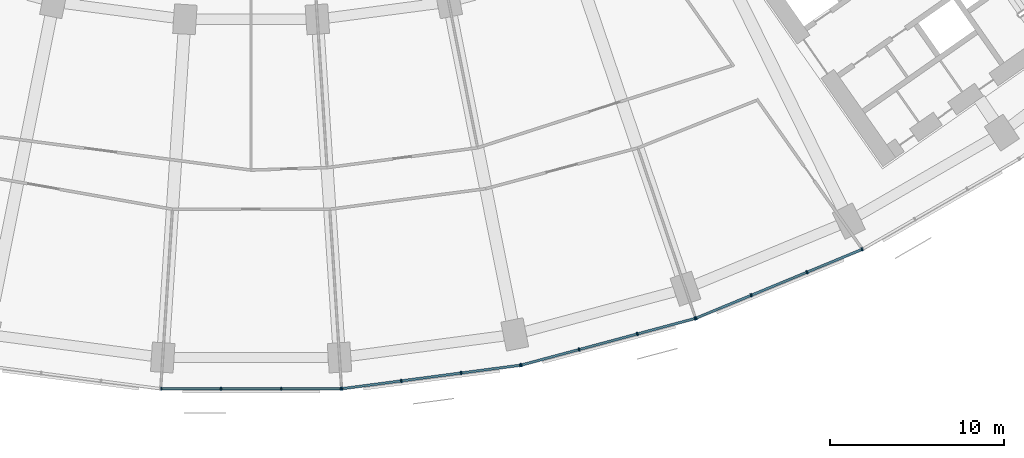
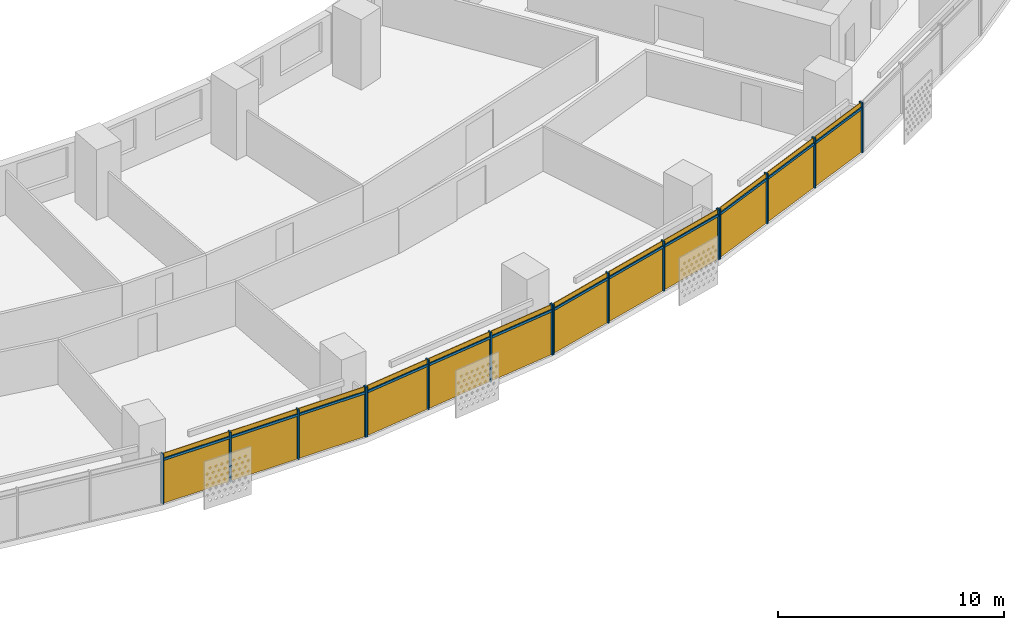
# One storey, part 21 of 31: 28 members, 4 curtain walls.
"""IFC4 building model written with IfcOpenShell, lengths in metres."""

from ifc_helpers import new_model, si_unit, direction, frame, origin, origin_2d, place, context, subcontext, project, spatial, rectangle, extrude, material, material_profile, profile_set, type_object, element, aggregate, save


model = new_model("IFC4")

# Units and contexts
model_context = context("Model", 3, precision=1e-05, world=origin(), true_north=direction((0.0, 1.0)))
body_context = subcontext(model_context, "Body", "Model", "MODEL_VIEW")
ifc_project = project(units=[si_unit("LENGTHUNIT", "METRE"), si_unit("AREAUNIT", "SQUARE_METRE"), si_unit("VOLUMEUNIT", "CUBIC_METRE"), si_unit("PLANEANGLEUNIT", "RADIAN"), si_unit("MASSUNIT", "GRAM", prefix="KILO")], contexts=[model_context])

# Member
ifc_material = material(Name="Aluminium 6063-T6 anodised", Category="aluminium")
ifc_material_profile_1 = material_profile(ifc_material, rectangle(XDim=0.199951171875, YDim=0.070068359375, at=origin_2d()))
ifc_profile_set_1 = profile_set([ifc_material_profile_1], Name="Aluminium 6063-T6 anodised")
member_type_1 = type_object("IfcMemberType", Name="Mullion 70 x 200 aluminium", PredefinedType="MULLION", material=ifc_profile_set_1)
site_placement = place(None, origin())
building_placement = place(site_placement, origin())
storey_placement = place(building_placement, frame((0.0, 0.0, 82.300048828125)))
member_1_placement = place(storey_placement, frame((-5.17431640625, -79.37939453125, 0.0), z_axis=(0.0, 0.0, 1.0), x_axis=(0.0, 1.0, 0.0)))
member_1 = element("IfcMember", 1, at=member_1_placement, type_object=member_type_1, Name="e-cw1-L17-out08/M00", PredefinedType="MULLION", context=body_context, shape_type="SweptSolid", body=[
    extrude(rectangle(XDim=0.199951171875, YDim=0.070068359375, at=origin_2d()), origin(), (0.0, 0.0, 1.0), 2.699951171875),
])

member_2_placement = place(storey_placement, frame((-1.736572265625, -79.37939453125, 0.0), z_axis=(0.0, 0.0, 1.0), x_axis=(0.0, 1.0, 0.0)))
member_2 = element("IfcMember", 2, at=member_2_placement, type_object=member_type_1, Name="e-cw1-L17-out08/M01", PredefinedType="MULLION", context=body_context, shape_type="SweptSolid", body=[
    extrude(rectangle(XDim=0.199951171875, YDim=0.070068359375, at=origin_2d()), origin(), (0.0, 0.0, 1.0), 2.699951171875),
])

member_3_placement = place(storey_placement, frame((1.736572265625, -79.37939453125, 0.0), z_axis=(0.0, 0.0, 1.0), x_axis=(0.0, 1.0, 0.0)))
member_3 = element("IfcMember", 3, at=member_3_placement, type_object=member_type_1, Name="e-cw1-L17-out08/M02", PredefinedType="MULLION", context=body_context, shape_type="SweptSolid", body=[
    extrude(rectangle(XDim=0.199951171875, YDim=0.070068359375, at=origin_2d()), origin(), (0.0, 0.0, 1.0), 2.699951171875),
])

member_4_placement = place(storey_placement, frame((5.17431640625, -79.37939453125, 0.0), z_axis=(0.0, 0.0, 1.0), x_axis=(0.0, 1.0, 0.0)))
member_4 = element("IfcMember", 4, at=member_4_placement, type_object=member_type_1, Name="e-cw1-L17-out08/M03", PredefinedType="MULLION", context=body_context, shape_type="SweptSolid", body=[
    extrude(rectangle(XDim=0.199951171875, YDim=0.070068359375, at=origin_2d()), origin(), (0.0, 0.0, 1.0), 2.699951171875),
])

member_5_placement = place(storey_placement, frame((5.23095703125, -79.375732421875, 0.0), z_axis=(0.0, 0.0, 1.0), x_axis=(-0.13052619222, 0.991444861374, 0.0)))
member_5 = element("IfcMember", 5, at=member_5_placement, type_object=member_type_1, Name="e-cw1-L17-out09/M00", PredefinedType="MULLION", context=body_context, shape_type="SweptSolid", body=[
    extrude(rectangle(XDim=0.199951171875, YDim=0.070068359375, at=origin_2d()), origin(), (0.0, 0.0, 1.0), 2.699951171875),
])

member_6_placement = place(storey_placement, frame((8.639404296875, -78.927001953125, 0.0), z_axis=(0.0, 0.0, 1.0), x_axis=(-0.13052619222, 0.991444861374, 0.0)))
member_6 = element("IfcMember", 6, at=member_6_placement, type_object=member_type_1, Name="e-cw1-L17-out09/M01", PredefinedType="MULLION", context=body_context, shape_type="SweptSolid", body=[
    extrude(rectangle(XDim=0.199951171875, YDim=0.070068359375, at=origin_2d()), origin(), (0.0, 0.0, 1.0), 2.699951171875),
])

member_7_placement = place(storey_placement, frame((12.082763671875, -78.4736328125, 0.0), z_axis=(0.0, 0.0, 1.0), x_axis=(-0.13052619222, 0.991444861374, 0.0)))
member_7 = element("IfcMember", 7, at=member_7_placement, type_object=member_type_1, Name="e-cw1-L17-out09/M02", PredefinedType="MULLION", context=body_context, shape_type="SweptSolid", body=[
    extrude(rectangle(XDim=0.199951171875, YDim=0.070068359375, at=origin_2d()), origin(), (0.0, 0.0, 1.0), 2.699951171875),
])

member_8_placement = place(storey_placement, frame((15.4912109375, -78.02490234375, 0.0), z_axis=(0.0, 0.0, 1.0), x_axis=(-0.13052619222, 0.991444861374, 0.0)))
member_8 = element("IfcMember", 8, at=member_8_placement, type_object=member_type_1, Name="e-cw1-L17-out09/M03", PredefinedType="MULLION", context=body_context, shape_type="SweptSolid", body=[
    extrude(rectangle(XDim=0.199951171875, YDim=0.070068359375, at=origin_2d()), origin(), (0.0, 0.0, 1.0), 2.699951171875),
])

member_9_placement = place(storey_placement, frame((15.546875, -78.013916015625, 0.0), z_axis=(0.0, 0.0, 1.0), x_axis=(-0.258819045103, 0.965925826289, 0.0)))
member_9 = element("IfcMember", 9, at=member_9_placement, type_object=member_type_1, Name="e-cw1-L17-out10/M00", PredefinedType="MULLION", context=body_context, shape_type="SweptSolid", body=[
    extrude(rectangle(XDim=0.199951171875, YDim=0.070068359375, at=origin_2d()), origin(), (0.0, 0.0, 1.0), 2.699951171875),
])

member_10_placement = place(storey_placement, frame((18.86767578125, -77.1240234375, 0.0), z_axis=(0.0, 0.0, 1.0), x_axis=(-0.258819045103, 0.965925826289, 0.0)))
member_10 = element("IfcMember", 10, at=member_10_placement, type_object=member_type_1, Name="e-cw1-L17-out10/M01", PredefinedType="MULLION", context=body_context, shape_type="SweptSolid", body=[
    extrude(rectangle(XDim=0.199951171875, YDim=0.070068359375, at=origin_2d()), origin(), (0.0, 0.0, 1.0), 2.699951171875),
])

member_11_placement = place(storey_placement, frame((22.22216796875, -76.225341796875, 0.0), z_axis=(0.0, 0.0, 1.0), x_axis=(-0.258819045103, 0.965925826289, 0.0)))
member_11 = element("IfcMember", 11, at=member_11_placement, type_object=member_type_1, Name="e-cw1-L17-out10/M02", PredefinedType="MULLION", context=body_context, shape_type="SweptSolid", body=[
    extrude(rectangle(XDim=0.199951171875, YDim=0.070068359375, at=origin_2d()), origin(), (0.0, 0.0, 1.0), 2.699951171875),
])

member_12_placement = place(storey_placement, frame((25.54296875, -75.33544921875, 0.0), z_axis=(0.0, 0.0, 1.0), x_axis=(-0.258819045103, 0.965925826289, 0.0)))
member_12 = element("IfcMember", 12, at=member_12_placement, type_object=member_type_1, Name="e-cw1-L17-out10/M03", PredefinedType="MULLION", context=body_context, shape_type="SweptSolid", body=[
    extrude(rectangle(XDim=0.199951171875, YDim=0.070068359375, at=origin_2d()), origin(), (0.0, 0.0, 1.0), 2.699951171875),
])

member_13_placement = place(storey_placement, frame((25.5966796875, -75.317138671875, 0.0), z_axis=(0.0, 0.0, 1.0), x_axis=(-0.382683432365, 0.923879532511, 0.0)))
member_13 = element("IfcMember", 13, at=member_13_placement, type_object=member_type_1, Name="e-cw1-L17-out11/M00", PredefinedType="MULLION", context=body_context, shape_type="SweptSolid", body=[
    extrude(rectangle(XDim=0.199951171875, YDim=0.070068359375, at=origin_2d()), origin(), (0.0, 0.0, 1.0), 2.699951171875),
])

member_14_placement = place(storey_placement, frame((28.77294921875, -74.00146484375, 0.0), z_axis=(0.0, 0.0, 1.0), x_axis=(-0.382683432365, 0.923879532511, 0.0)))
member_14 = element("IfcMember", 14, at=member_14_placement, type_object=member_type_1, Name="e-cw1-L17-out11/M01", PredefinedType="MULLION", context=body_context, shape_type="SweptSolid", body=[
    extrude(rectangle(XDim=0.199951171875, YDim=0.070068359375, at=origin_2d()), origin(), (0.0, 0.0, 1.0), 2.699951171875),
])

member_15_placement = place(storey_placement, frame((31.9814453125, -72.672607421875, 0.0), z_axis=(0.0, 0.0, 1.0), x_axis=(-0.382683432365, 0.923879532511, 0.0)))
member_15 = element("IfcMember", 15, at=member_15_placement, type_object=member_type_1, Name="e-cw1-L17-out11/M02", PredefinedType="MULLION", context=body_context, shape_type="SweptSolid", body=[
    extrude(rectangle(XDim=0.199951171875, YDim=0.070068359375, at=origin_2d()), origin(), (0.0, 0.0, 1.0), 2.699951171875),
])

member_16_placement = place(storey_placement, frame((35.15771484375, -71.35693359375, 0.0), z_axis=(0.0, 0.0, 1.0), x_axis=(-0.382683432365, 0.923879532511, 0.0)))
member_16 = element("IfcMember", 16, at=member_16_placement, type_object=member_type_1, Name="e-cw1-L17-out11/M03", PredefinedType="MULLION", context=body_context, shape_type="SweptSolid", body=[
    extrude(rectangle(XDim=0.199951171875, YDim=0.070068359375, at=origin_2d()), origin(), (0.0, 0.0, 1.0), 2.699951171875),
])

ifc_material_profile_2 = material_profile(ifc_material, rectangle(XDim=0.139892578125, YDim=0.1201171875, at=origin_2d()))
ifc_profile_set_2 = profile_set([ifc_material_profile_2], Name="Aluminium 6063-T6 anodised")
member_type_2 = type_object("IfcMemberType", Name="Transom 120 x 140 aluminium", PredefinedType="USERDEFINED", material=ifc_profile_set_2)
member_17_placement = place(storey_placement, frame((-5.139404296875, -79.37939453125, 2.39990234375), z_axis=(1.0, 0.0, 0.0), x_axis=(0.0, 1.0, 0.0)))
member_17 = element("IfcMember", 17, at=member_17_placement, type_object=member_type_2, Name="e-cw1-L17-out08/T00", ObjectType="TRANSOM", PredefinedType="USERDEFINED", context=body_context, shape_type="SweptSolid", body=[
    extrude(rectangle(XDim=0.139892578125, YDim=0.1201171875, at=origin_2d()), origin(), (0.0, 0.0, 1.0), 3.367919921875),
])

member_18_placement = place(storey_placement, frame((-1.701416015625, -79.37939453125, 2.39990234375), z_axis=(1.0, 0.0, 0.0), x_axis=(0.0, 1.0, 0.0)))
member_18 = element("IfcMember", 18, at=member_18_placement, type_object=member_type_2, Name="e-cw1-L17-out08/T01", ObjectType="TRANSOM", PredefinedType="USERDEFINED", context=body_context, shape_type="SweptSolid", body=[
    extrude(rectangle(XDim=0.139892578125, YDim=0.1201171875, at=origin_2d()), origin(), (0.0, 0.0, 1.0), 3.40283203125),
])

member_19_placement = place(storey_placement, frame((1.771484375, -79.37939453125, 2.39990234375), z_axis=(1.0, 0.0, 0.0), x_axis=(0.0, 1.0, 0.0)))
member_19 = element("IfcMember", 19, at=member_19_placement, type_object=member_type_2, Name="e-cw1-L17-out08/T02", ObjectType="TRANSOM", PredefinedType="USERDEFINED", context=body_context, shape_type="SweptSolid", body=[
    extrude(rectangle(XDim=0.139892578125, YDim=0.1201171875, at=origin_2d()), origin(), (0.0, 0.0, 1.0), 3.367919921875),
])

member_20_placement = place(storey_placement, frame((5.265625, -79.37109375, 2.39990234375), z_axis=(0.991450594138, 0.130482640159, 0.0), x_axis=(-0.130482640159, 0.991450594138, 0.0)))
member_20 = element("IfcMember", 20, at=member_20_placement, type_object=member_type_2, Name="e-cw1-L17-out09/T00", ObjectType="TRANSOM", PredefinedType="USERDEFINED", context=body_context, shape_type="SweptSolid", body=[
    extrude(rectangle(XDim=0.139892578125, YDim=0.1201171875, at=origin_2d()), origin(), (0.0, 0.0, 1.0), 3.367919921875),
])

member_21_placement = place(storey_placement, frame((8.67431640625, -78.92236328125, 2.39990234375), z_axis=(0.991447700941, 0.130504621753, 0.0), x_axis=(-0.130504621753, 0.991447700941, 0.0)))
member_21 = element("IfcMember", 21, at=member_21_placement, type_object=member_type_2, Name="e-cw1-L17-out09/T01", ObjectType="TRANSOM", PredefinedType="USERDEFINED", context=body_context, shape_type="SweptSolid", body=[
    extrude(rectangle(XDim=0.139892578125, YDim=0.1201171875, at=origin_2d()), origin(), (0.0, 0.0, 1.0), 3.40283203125),
])

member_22_placement = place(storey_placement, frame((12.117431640625, -78.46923828125, 2.39990234375), z_axis=(0.9914412138, 0.130553895303, 0.0), x_axis=(-0.130553895303, 0.9914412138, 0.0)))
member_22 = element("IfcMember", 22, at=member_22_placement, type_object=member_type_2, Name="e-cw1-L17-out09/T02", ObjectType="TRANSOM", PredefinedType="USERDEFINED", context=body_context, shape_type="SweptSolid", body=[
    extrude(rectangle(XDim=0.139892578125, YDim=0.1201171875, at=origin_2d()), origin(), (0.0, 0.0, 1.0), 3.367919921875),
])

member_23_placement = place(storey_placement, frame((15.58056640625, -78.0048828125, 2.39990234375), z_axis=(0.965915368772, 0.258858069935, 0.0), x_axis=(-0.258858069935, 0.965915368772, 0.0)))
member_23 = element("IfcMember", 23, at=member_23_placement, type_object=member_type_2, Name="e-cw1-L17-out10/T00", ObjectType="TRANSOM", PredefinedType="USERDEFINED", context=body_context, shape_type="SweptSolid", body=[
    extrude(rectangle(XDim=0.139892578125, YDim=0.1201171875, at=origin_2d()), origin(), (0.0, 0.0, 1.0), 3.367919921875),
])

member_24_placement = place(storey_placement, frame((18.9013671875, -77.114990234375, 2.39990234375), z_axis=(0.965937804901, 0.258774336176, 0.0), x_axis=(-0.258774336176, 0.965937804901, 0.0)))
member_24 = element("IfcMember", 24, at=member_24_placement, type_object=member_type_2, Name="e-cw1-L17-out10/T01", ObjectType="TRANSOM", PredefinedType="USERDEFINED", context=body_context, shape_type="SweptSolid", body=[
    extrude(rectangle(XDim=0.139892578125, YDim=0.1201171875, at=origin_2d()), origin(), (0.0, 0.0, 1.0), 3.403076171875),
])

member_25_placement = place(storey_placement, frame((22.256103515625, -76.21630859375, 2.39990234375), z_axis=(0.965915368772, 0.258858069935, 0.0), x_axis=(-0.258858069935, 0.965915368772, 0.0)))
member_25 = element("IfcMember", 25, at=member_25_placement, type_object=member_type_2, Name="e-cw1-L17-out10/T02", ObjectType="TRANSOM", PredefinedType="USERDEFINED", context=body_context, shape_type="SweptSolid", body=[
    extrude(rectangle(XDim=0.139892578125, YDim=0.1201171875, at=origin_2d()), origin(), (0.0, 0.0, 1.0), 3.367919921875),
])

member_26_placement = place(storey_placement, frame((25.629150390625, -75.3037109375, 2.39990234375), z_axis=(0.923872807855, 0.382699666719, 0.0), x_axis=(-0.382699666719, 0.923872807855, 0.0)))
member_26 = element("IfcMember", 26, at=member_26_placement, type_object=member_type_2, Name="e-cw1-L17-out11/T00", ObjectType="TRANSOM", PredefinedType="USERDEFINED", context=body_context, shape_type="SweptSolid", body=[
    extrude(rectangle(XDim=0.139892578125, YDim=0.1201171875, at=origin_2d()), origin(), (0.0, 0.0, 1.0), 3.36767578125),
])

member_27_placement = place(storey_placement, frame((28.80517578125, -73.98828125, 2.39990234375), z_axis=(0.92388567708, 0.382668597728, 0.0), x_axis=(-0.382668597728, 0.92388567708, 0.0)))
member_27 = element("IfcMember", 27, at=member_27_placement, type_object=member_type_2, Name="e-cw1-L17-out11/T01", ObjectType="TRANSOM", PredefinedType="USERDEFINED", context=body_context, shape_type="SweptSolid", body=[
    extrude(rectangle(XDim=0.139892578125, YDim=0.1201171875, at=origin_2d()), origin(), (0.0, 0.0, 1.0), 3.403076171875),
])

member_28_placement = place(storey_placement, frame((32.013916015625, -72.6591796875, 2.39990234375), z_axis=(0.923872807855, 0.382699666719, 0.0), x_axis=(-0.382699666719, 0.923872807855, 0.0)))
member_28 = element("IfcMember", 28, at=member_28_placement, type_object=member_type_2, Name="e-cw1-L17-out11/T02", ObjectType="TRANSOM", PredefinedType="USERDEFINED", context=body_context, shape_type="SweptSolid", body=[
    extrude(rectangle(XDim=0.139892578125, YDim=0.1201171875, at=origin_2d()), origin(), (0.0, 0.0, 1.0), 3.36767578125),
])

# Site, building, storey
site = spatial("IfcSite", under=ifc_project, at=site_placement, CompositionType="ELEMENT")
building = spatial("IfcBuilding", under=site, at=building_placement, Name="Qamariyya Broadcast Tower", CompositionType="ELEMENT")
storey = spatial("IfcBuildingStorey", under=building, at=storey_placement, Name="L17", CompositionType="ELEMENT", Elevation=82.300048828125)

# Curtain wall
curtain_wall_type = type_object("IfcCurtainWallType", Name="Unitised curtain wall, anodised aluminium", PredefinedType="NOTDEFINED", material=ifc_material)
curtain_wall_1_placement = place(storey_placement, origin())
curtain_wall_1 = element("IfcCurtainWall", 29, at=curtain_wall_1_placement, inside=storey, type_object=curtain_wall_type, Name="e-cw1-L17-out08", PredefinedType="NOTDEFINED", context=body_context, shape_type="SweptSolid", body=[
    extrude(rectangle(XDim=3.367919921875, YDim=0.031982421875, at=origin_2d()), frame((-3.45556640625, -79.37939453125, 0.0), x_axis=(1.0, 0.0, 0.0)), (0.0, 0.0, 1.0), 2.340087890625),
    extrude(rectangle(XDim=3.367919921875, YDim=0.031982421875, at=origin_2d()), frame((-3.45556640625, -79.37939453125, 2.4599609375), x_axis=(1.0, 0.0, 0.0)), (0.0, 0.0, 1.0), 0.239990234375),
    extrude(rectangle(XDim=3.403076171875, YDim=0.031982421875, at=origin_2d()), frame((0.0, -79.37939453125, 0.0), x_axis=(1.0, 0.0, 0.0)), (0.0, 0.0, 1.0), 2.340087890625),
    extrude(rectangle(XDim=3.403076171875, YDim=0.031982421875, at=origin_2d()), frame((0.0, -79.37939453125, 2.4599609375), x_axis=(1.0, 0.0, 0.0)), (0.0, 0.0, 1.0), 0.239990234375),
    extrude(rectangle(XDim=3.367919921875, YDim=0.031982421875, at=origin_2d()), frame((3.45556640625, -79.37939453125, 0.0), x_axis=(1.0, 0.0, 0.0)), (0.0, 0.0, 1.0), 2.340087890625),
    extrude(rectangle(XDim=3.367919921875, YDim=0.031982421875, at=origin_2d()), frame((3.45556640625, -79.37939453125, 2.4599609375), x_axis=(1.0, 0.0, 0.0)), (0.0, 0.0, 1.0), 0.239990234375),
])

aggregate(curtain_wall_1, [member_1, member_2, member_3, member_4, member_17, member_18, member_19])

curtain_wall_2_placement = place(storey_placement, origin())
curtain_wall_2 = element("IfcCurtainWall", 30, at=curtain_wall_2_placement, inside=storey, type_object=curtain_wall_type, Name="e-cw1-L17-out09", PredefinedType="NOTDEFINED", context=body_context, shape_type="SweptSolid", body=[
    extrude(rectangle(XDim=3.367919921875, YDim=0.031982421875, at=origin_2d()), frame((6.935302734375, -79.1513671875, 0.0), x_axis=(0.991445519925, 0.130521189931, 0.0)), (0.0, 0.0, 1.0), 2.340087890625),
    extrude(rectangle(XDim=3.367919921875, YDim=0.031982421875, at=origin_2d()), frame((6.935302734375, -79.1513671875, 2.4599609375), x_axis=(0.991445519925, 0.130521189931, 0.0)), (0.0, 0.0, 1.0), 0.239990234375),
    extrude(rectangle(XDim=3.40283203125, YDim=0.031982421875, at=origin_2d()), frame((10.361083984375, -78.700439453125, 0.0), x_axis=(0.991445519925, 0.130521189931, 0.0)), (0.0, 0.0, 1.0), 2.340087890625),
    extrude(rectangle(XDim=3.40283203125, YDim=0.031982421875, at=origin_2d()), frame((10.361083984375, -78.700439453125, 2.4599609375), x_axis=(0.991445519925, 0.130521189931, 0.0)), (0.0, 0.0, 1.0), 0.239990234375),
    extrude(rectangle(XDim=3.367919921875, YDim=0.031982421875, at=origin_2d()), frame((13.786865234375, -78.24951171875, 0.0), x_axis=(0.991445519925, 0.130521189931, 0.0)), (0.0, 0.0, 1.0), 2.340087890625),
    extrude(rectangle(XDim=3.367919921875, YDim=0.031982421875, at=origin_2d()), frame((13.786865234375, -78.24951171875, 2.4599609375), x_axis=(0.991445519925, 0.130521189931, 0.0)), (0.0, 0.0, 1.0), 0.239990234375),
])

aggregate(curtain_wall_2, [member_5, member_6, member_7, member_8, member_20, member_21, member_22])

curtain_wall_3_placement = place(storey_placement, origin())
curtain_wall_3 = element("IfcCurtainWall", 31, at=curtain_wall_3_placement, inside=storey, type_object=curtain_wall_type, Name="e-cw1-L17-out10", PredefinedType="NOTDEFINED", context=body_context, shape_type="SweptSolid", body=[
    extrude(rectangle(XDim=3.367919921875, YDim=0.031982421875, at=origin_2d()), frame((17.207275390625, -77.569091796875, 0.0), x_axis=(0.965925039578, 0.258821981129, 0.0)), (0.0, 0.0, 1.0), 2.340087890625),
    extrude(rectangle(XDim=3.367919921875, YDim=0.031982421875, at=origin_2d()), frame((17.207275390625, -77.569091796875, 2.4599609375), x_axis=(0.965925039578, 0.258821981129, 0.0)), (0.0, 0.0, 1.0), 0.239990234375),
    extrude(rectangle(XDim=3.40283203125, YDim=0.031982421875, at=origin_2d()), frame((20.544921875, -76.6748046875, 0.0), x_axis=(0.965925039578, 0.258821981129, 0.0)), (0.0, 0.0, 1.0), 2.340087890625),
    extrude(rectangle(XDim=3.40283203125, YDim=0.031982421875, at=origin_2d()), frame((20.544921875, -76.6748046875, 2.4599609375), x_axis=(0.965925039578, 0.258821981129, 0.0)), (0.0, 0.0, 1.0), 0.239990234375),
    extrude(rectangle(XDim=3.367919921875, YDim=0.031982421875, at=origin_2d()), frame((23.882568359375, -75.7802734375, 0.0), x_axis=(0.965925039578, 0.258821981129, 0.0)), (0.0, 0.0, 1.0), 2.340087890625),
    extrude(rectangle(XDim=3.367919921875, YDim=0.031982421875, at=origin_2d()), frame((23.882568359375, -75.7802734375, 2.4599609375), x_axis=(0.965925039578, 0.258821981129, 0.0)), (0.0, 0.0, 1.0), 0.239990234375),
])

aggregate(curtain_wall_3, [member_9, member_10, member_11, member_12, member_23, member_24, member_25])

curtain_wall_4_placement = place(storey_placement, origin())
curtain_wall_4 = element("IfcCurtainWall", 32, at=curtain_wall_4_placement, inside=storey, type_object=curtain_wall_type, Name="e-cw1-L17-out11", PredefinedType="NOTDEFINED", context=body_context, shape_type="SweptSolid", body=[
    extrude(rectangle(XDim=3.367919921875, YDim=0.031982421875, at=origin_2d()), frame((27.184814453125, -74.659423828125, 0.0), x_axis=(0.92387774222, 0.382687754482, 0.0)), (0.0, 0.0, 1.0), 2.340087890625),
    extrude(rectangle(XDim=3.367919921875, YDim=0.031982421875, at=origin_2d()), frame((27.184814453125, -74.659423828125, 2.4599609375), x_axis=(0.92387774222, 0.382687754482, 0.0)), (0.0, 0.0, 1.0), 0.239990234375),
    extrude(rectangle(XDim=3.40283203125, YDim=0.031982421875, at=origin_2d()), frame((30.377197265625, -73.3369140625, 0.0), x_axis=(0.92387774222, 0.382687754482, 0.0)), (0.0, 0.0, 1.0), 2.340087890625),
    extrude(rectangle(XDim=3.40283203125, YDim=0.031982421875, at=origin_2d()), frame((30.377197265625, -73.3369140625, 2.4599609375), x_axis=(0.92387774222, 0.382687754482, 0.0)), (0.0, 0.0, 1.0), 0.239990234375),
    extrude(rectangle(XDim=3.367919921875, YDim=0.031982421875, at=origin_2d()), frame((33.569580078125, -72.0146484375, 0.0), x_axis=(0.92387774222, 0.382687754482, 0.0)), (0.0, 0.0, 1.0), 2.340087890625),
    extrude(rectangle(XDim=3.367919921875, YDim=0.031982421875, at=origin_2d()), frame((33.569580078125, -72.0146484375, 2.4599609375), x_axis=(0.92387774222, 0.382687754482, 0.0)), (0.0, 0.0, 1.0), 0.239990234375),
])

aggregate(curtain_wall_4, [member_13, member_14, member_15, member_16, member_26, member_27, member_28])

save(model, "model.ifc")
